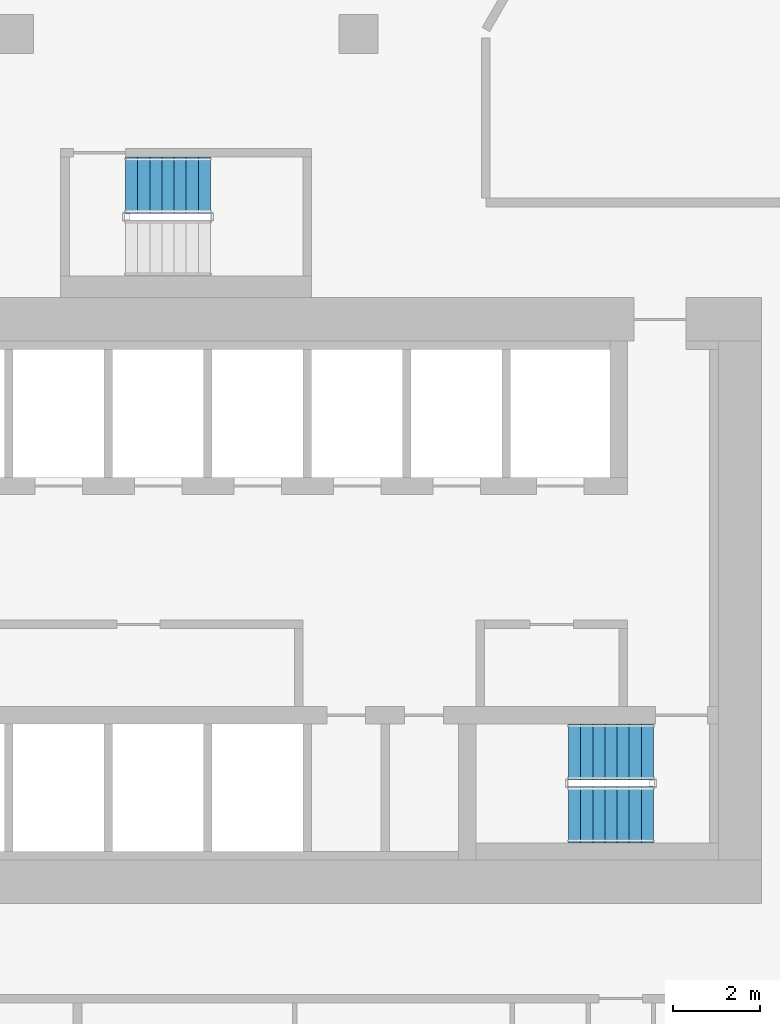
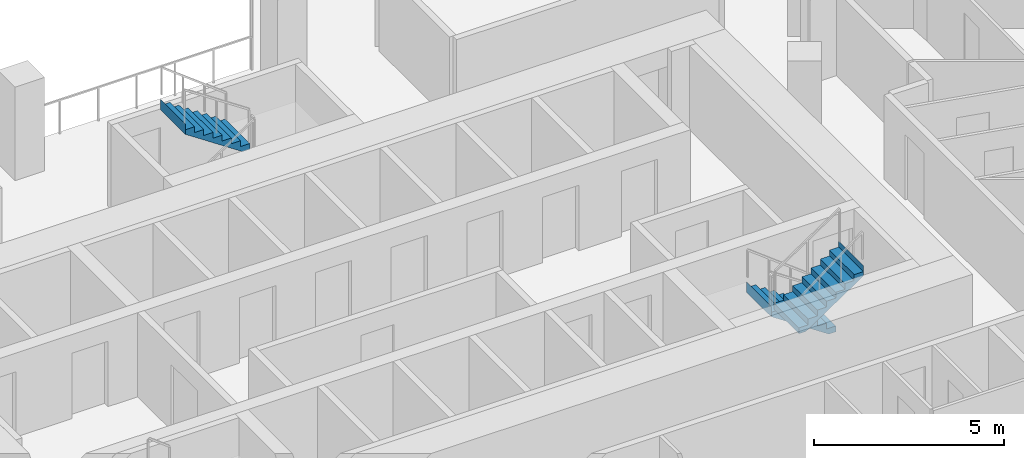
# One storey, part 14 of 18: 3 stair flights, 2 elements without a shape of their own.
"""IFC4 building model written with IfcOpenShell, lengths in metres."""

from ifc_helpers import new_model, si_unit, direction, frame, origin, place, context, subcontext, project, spatial, triangles, material, type_object, element, aggregate, save


model = new_model("IFC4")

# Units and contexts
model_context = context("Model", 3, precision=1e-05, world=origin(), true_north=direction((0.0, 1.0)))
body_context = subcontext(model_context, "Body", "Model", "MODEL_VIEW")
ifc_project = project(units=[si_unit("LENGTHUNIT", "METRE"), si_unit("AREAUNIT", "SQUARE_METRE"), si_unit("VOLUMEUNIT", "CUBIC_METRE"), si_unit("PLANEANGLEUNIT", "RADIAN"), si_unit("MASSUNIT", "GRAM", prefix="KILO")], contexts=[model_context])

# Site, building, storey
site_placement = place(None, origin())
site = spatial("IfcSite", under=ifc_project, at=site_placement, CompositionType="ELEMENT")
building_placement = place(site_placement, origin())
building = spatial("IfcBuilding", under=site, at=building_placement, Name="Beryl Residences", CompositionType="ELEMENT")
storey_placement = place(building_placement, frame((0.0, 0.0, 81.0)))
storey = spatial("IfcBuildingStorey", under=building, at=storey_placement, Name="L24", CompositionType="ELEMENT", Elevation=81.0)

# Stair, stair flights
ifc_material_1 = material(Name="Concrete C40/50", Category="concrete")
stair_type = type_object("IfcStairType", Name="ST1 protected exit stair, half-turn, 1300 mm flights", PredefinedType="HALF_TURN_STAIR", material=ifc_material_1)
stair_1_placement = place(storey_placement, origin())
stair_1 = element("IfcStair", 1, at=stair_1_placement, inside=storey, type_object=stair_type, Name="L24 PROTECTED EXIT STAIR ST-3", PredefinedType="HALF_TURN_STAIR")
ifc_material_2 = material(Name="Concrete C40/50", Category="concrete")
stair_flight_type = type_object("IfcStairFlightType", Name="SF1 stair flight 1300 mm", PredefinedType="STRAIGHT", material=ifc_material_2)
stair_flight_1_placement = place(storey_placement, frame((10.800048828125, -15.5, 0.0), z_axis=(0.0, 0.0, 1.0), x_axis=(-1.0, 0.0, 0.0)))
stair_flight_1 = element("IfcStairFlight", 2, at=stair_flight_1_placement, type_object=stair_flight_type, Name="ST-3 flight 1", NumberOfRisers=8, NumberOfTreads=7, PredefinedType="STRAIGHT", RiserHeight=0.1875, TreadLength=0.28, context=body_context, shape_type="Tessellation", body=[
    triangles([(0.0, -0.64990234375, 0.0), (0.0, -0.324951171875, 0.0), (0.0, 0.0, 0.0), (0.0, 0.324951171875, 0.0), (0.0, 0.64990234375, 0.0), (0.0, -0.64990234375, 0.1875), (0.0, -0.324951171875, 0.1875), (0.0, 0.0, 0.1875), (0.0, 0.324951171875, 0.1875), (0.0, 0.64990234375, 0.1875), (0.280029296875, -0.64990234375, 0.1875), (0.280029296875, -0.324951171875, 0.1875), (0.280029296875, 0.0, 0.1875), (0.280029296875, 0.324951171875, 0.1875), (0.280029296875, 0.64990234375, 0.1875), (0.280029296875, -0.64990234375, 0.375), (0.280029296875, -0.324951171875, 0.375), (0.280029296875, 0.0, 0.375), (0.280029296875, 0.324951171875, 0.375), (0.280029296875, 0.64990234375, 0.375), (0.56005859375, -0.64990234375, 0.375), (0.56005859375, -0.324951171875, 0.375), (0.56005859375, 0.0, 0.375), (0.56005859375, 0.324951171875, 0.375), (0.56005859375, 0.64990234375, 0.375), (0.56005859375, -0.64990234375, 0.5625), (0.56005859375, -0.324951171875, 0.5625), (0.56005859375, 0.0, 0.5625), (0.56005859375, 0.324951171875, 0.5625), (0.56005859375, 0.64990234375, 0.5625), (0.840087890625, -0.64990234375, 0.5625), (0.840087890625, -0.324951171875, 0.5625), (0.840087890625, 0.0, 0.5625), (0.840087890625, 0.324951171875, 0.5625), (0.840087890625, 0.64990234375, 0.5625), (0.840087890625, -0.64990234375, 0.75), (0.840087890625, -0.324951171875, 0.75), (0.840087890625, 0.0, 0.75), (0.840087890625, 0.324951171875, 0.75), (0.840087890625, 0.64990234375, 0.75), (1.1201171875, -0.64990234375, 0.75), (1.1201171875, -0.324951171875, 0.75), (1.1201171875, 0.0, 0.75), (1.1201171875, 0.324951171875, 0.75), (1.1201171875, 0.64990234375, 0.75), (1.1201171875, -0.64990234375, 0.9375), (1.1201171875, -0.324951171875, 0.9375), (1.1201171875, 0.0, 0.9375), (1.1201171875, 0.324951171875, 0.9375), (1.1201171875, 0.64990234375, 0.9375), (1.39990234375, -0.64990234375, 0.9375), (1.39990234375, -0.324951171875, 0.9375), (1.39990234375, 0.0, 0.9375), (1.39990234375, 0.324951171875, 0.9375), (1.39990234375, 0.64990234375, 0.9375), (1.39990234375, -0.64990234375, 1.125), (1.39990234375, -0.324951171875, 1.125), (1.39990234375, 0.0, 1.125), (1.39990234375, 0.324951171875, 1.125), (1.39990234375, 0.64990234375, 1.125), (1.679931640625, -0.64990234375, 1.125), (1.679931640625, -0.324951171875, 1.125), (1.679931640625, 0.0, 1.125), (1.679931640625, 0.324951171875, 1.125), (1.679931640625, 0.64990234375, 1.125), (1.679931640625, -0.64990234375, 1.3125), (1.679931640625, -0.324951171875, 1.3125), (1.679931640625, 0.0, 1.3125), (1.679931640625, 0.324951171875, 1.3125), (1.679931640625, 0.64990234375, 1.3125), (1.9599609375, -0.64990234375, 1.3125), (1.9599609375, -0.324951171875, 1.3125), (1.9599609375, 0.0, 1.3125), (1.9599609375, 0.324951171875, 1.3125), (1.9599609375, 0.64990234375, 1.3125), (1.9599609375, -0.64990234375, 1.5), (1.9599609375, -0.324951171875, 1.5), (1.9599609375, 0.0, 1.5), (1.9599609375, 0.324951171875, 1.5), (1.9599609375, 0.64990234375, 1.5), (1.9609375, -0.64990234375, 1.5), (1.9609375, -0.324951171875, 1.5), (1.9609375, 0.0, 1.5), (1.9609375, 0.324951171875, 1.5), (1.9609375, 0.64990234375, 1.5), (1.9609375, -0.64990234375, 1.16796875), (1.9609375, -0.324951171875, 1.16796875), (1.9609375, 0.0, 1.16796875), (1.9609375, 0.324951171875, 1.16796875), (1.9609375, 0.64990234375, 1.16796875), (0.216796875, -0.64990234375, 0.0), (0.216796875, -0.324951171875, 0.0), (0.216796875, 0.0, 0.0), (0.216796875, 0.324951171875, 0.0), (0.216796875, 0.64990234375, 0.0)], [[1, 6, 7], [1, 7, 2], [2, 7, 8], [2, 8, 3], [3, 8, 9], [3, 9, 4], [4, 9, 10], [4, 10, 5], [6, 11, 12], [6, 12, 7], [7, 12, 13], [7, 13, 8], [8, 13, 14], [8, 14, 9], [9, 14, 15], [9, 15, 10], [11, 16, 17], [11, 17, 12], [12, 17, 18], [12, 18, 13], [13, 18, 19], [13, 19, 14], [14, 19, 20], [14, 20, 15], [16, 21, 22], [16, 22, 17], [17, 22, 23], [17, 23, 18], [18, 23, 24], [18, 24, 19], [19, 24, 25], [19, 25, 20], [21, 26, 27], [21, 27, 22], [22, 27, 28], [22, 28, 23], [23, 28, 29], [23, 29, 24], [24, 29, 30], [24, 30, 25], [26, 31, 32], [26, 32, 27], [27, 32, 33], [27, 33, 28], [28, 33, 34], [28, 34, 29], [29, 34, 35], [29, 35, 30], [31, 36, 37], [31, 37, 32], [32, 37, 38], [32, 38, 33], [33, 38, 39], [33, 39, 34], [34, 39, 40], [34, 40, 35], [36, 41, 42], [36, 42, 37], [37, 42, 43], [37, 43, 38], [38, 43, 44], [38, 44, 39], [39, 44, 45], [39, 45, 40], [41, 46, 47], [41, 47, 42], [42, 47, 48], [42, 48, 43], [43, 48, 49], [43, 49, 44], [44, 49, 50], [44, 50, 45], [46, 51, 52], [46, 52, 47], [47, 52, 53], [47, 53, 48], [48, 53, 54], [48, 54, 49], [49, 54, 55], [49, 55, 50], [51, 56, 57], [51, 57, 52], [52, 57, 58], [52, 58, 53], [53, 58, 59], [53, 59, 54], [54, 59, 60], [54, 60, 55], [56, 61, 62], [56, 62, 57], [57, 62, 63], [57, 63, 58], [58, 63, 64], [58, 64, 59], [59, 64, 65], [59, 65, 60], [61, 66, 67], [61, 67, 62], [62, 67, 68], [62, 68, 63], [63, 68, 69], [63, 69, 64], [64, 69, 70], [64, 70, 65], [66, 71, 72], [66, 72, 67], [67, 72, 73], [67, 73, 68], [68, 73, 74], [68, 74, 69], [69, 74, 75], [69, 75, 70], [71, 76, 77], [71, 77, 72], [72, 77, 78], [72, 78, 73], [73, 78, 79], [73, 79, 74], [74, 79, 80], [74, 80, 75], [76, 81, 82], [76, 82, 77], [77, 82, 83], [77, 83, 78], [78, 83, 84], [78, 84, 79], [79, 84, 85], [79, 85, 80], [81, 86, 87], [81, 87, 82], [82, 87, 88], [82, 88, 83], [83, 88, 89], [83, 89, 84], [84, 89, 90], [84, 90, 85], [86, 91, 92], [86, 92, 87], [87, 92, 93], [87, 93, 88], [88, 93, 94], [88, 94, 89], [89, 94, 95], [89, 95, 90], [91, 1, 2], [91, 2, 92], [92, 2, 3], [92, 3, 93], [93, 3, 4], [93, 4, 94], [94, 4, 5], [94, 5, 95], [1, 91, 86], [5, 90, 95], [86, 81, 76], [90, 80, 85], [86, 76, 71], [90, 75, 80], [86, 71, 66], [90, 70, 75], [86, 66, 61], [90, 65, 70], [61, 56, 51], [65, 55, 60], [86, 61, 51], [90, 55, 65], [51, 46, 41], [55, 45, 50], [86, 51, 41], [90, 45, 55], [41, 36, 31], [45, 35, 40], [86, 41, 31], [90, 35, 45], [31, 26, 21], [35, 25, 30], [86, 31, 21], [90, 25, 35], [21, 16, 11], [25, 15, 20], [86, 21, 11], [90, 15, 25], [1, 86, 11], [5, 15, 90], [11, 6, 1], [15, 5, 10]], closed=True),
])
stair_flight_2_placement = place(storey_placement, frame((8.840087890625, -16.949951171875, 1.5), z_axis=(0.0, 0.0, 1.0), x_axis=(1.0, 0.0, 0.0)))
stair_flight_2 = element("IfcStairFlight", 3, at=stair_flight_2_placement, type_object=stair_flight_type, Name="ST-3 flight 2", NumberOfRisers=8, NumberOfTreads=7, PredefinedType="STRAIGHT", RiserHeight=0.1875, TreadLength=0.28, context=body_context, shape_type="Tessellation", body=[
    triangles([(0.0, -0.64990234375, 0.0), (0.0, -0.324951171875, 0.0), (0.0, 0.0, 0.0), (0.0, 0.324951171875, 0.0), (0.0, 0.64990234375, 0.0), (0.0, -0.64990234375, 0.1875), (0.0, -0.324951171875, 0.1875), (0.0, 0.0, 0.1875), (0.0, 0.324951171875, 0.1875), (0.0, 0.64990234375, 0.1875), (0.280029296875, -0.64990234375, 0.1875), (0.280029296875, -0.324951171875, 0.1875), (0.280029296875, 0.0, 0.1875), (0.280029296875, 0.324951171875, 0.1875), (0.280029296875, 0.64990234375, 0.1875), (0.280029296875, -0.64990234375, 0.375), (0.280029296875, -0.324951171875, 0.375), (0.280029296875, 0.0, 0.375), (0.280029296875, 0.324951171875, 0.375), (0.280029296875, 0.64990234375, 0.375), (0.56005859375, -0.64990234375, 0.375), (0.56005859375, -0.324951171875, 0.375), (0.56005859375, 0.0, 0.375), (0.56005859375, 0.324951171875, 0.375), (0.56005859375, 0.64990234375, 0.375), (0.56005859375, -0.64990234375, 0.5625), (0.56005859375, -0.324951171875, 0.5625), (0.56005859375, 0.0, 0.5625), (0.56005859375, 0.324951171875, 0.5625), (0.56005859375, 0.64990234375, 0.5625), (0.840087890625, -0.64990234375, 0.5625), (0.840087890625, -0.324951171875, 0.5625), (0.840087890625, 0.0, 0.5625), (0.840087890625, 0.324951171875, 0.5625), (0.840087890625, 0.64990234375, 0.5625), (0.840087890625, -0.64990234375, 0.75), (0.840087890625, -0.324951171875, 0.75), (0.840087890625, 0.0, 0.75), (0.840087890625, 0.324951171875, 0.75), (0.840087890625, 0.64990234375, 0.75), (1.1201171875, -0.64990234375, 0.75), (1.1201171875, -0.324951171875, 0.75), (1.1201171875, 0.0, 0.75), (1.1201171875, 0.324951171875, 0.75), (1.1201171875, 0.64990234375, 0.75), (1.1201171875, -0.64990234375, 0.9375), (1.1201171875, -0.324951171875, 0.9375), (1.1201171875, 0.0, 0.9375), (1.1201171875, 0.324951171875, 0.9375), (1.1201171875, 0.64990234375, 0.9375), (1.39990234375, -0.64990234375, 0.9375), (1.39990234375, -0.324951171875, 0.9375), (1.39990234375, 0.0, 0.9375), (1.39990234375, 0.324951171875, 0.9375), (1.39990234375, 0.64990234375, 0.9375), (1.39990234375, -0.64990234375, 1.125), (1.39990234375, -0.324951171875, 1.125), (1.39990234375, 0.0, 1.125), (1.39990234375, 0.324951171875, 1.125), (1.39990234375, 0.64990234375, 1.125), (1.679931640625, -0.64990234375, 1.125), (1.679931640625, -0.324951171875, 1.125), (1.679931640625, 0.0, 1.125), (1.679931640625, 0.324951171875, 1.125), (1.679931640625, 0.64990234375, 1.125), (1.679931640625, -0.64990234375, 1.3125), (1.679931640625, -0.324951171875, 1.3125), (1.679931640625, 0.0, 1.3125), (1.679931640625, 0.324951171875, 1.3125), (1.679931640625, 0.64990234375, 1.3125), (1.9599609375, -0.64990234375, 1.3125), (1.9599609375, -0.324951171875, 1.3125), (1.9599609375, 0.0, 1.3125), (1.9599609375, 0.324951171875, 1.3125), (1.9599609375, 0.64990234375, 1.3125), (1.9599609375, -0.64990234375, 1.5), (1.9599609375, -0.324951171875, 1.5), (1.9599609375, 0.0, 1.5), (1.9599609375, 0.324951171875, 1.5), (1.9599609375, 0.64990234375, 1.5), (1.9609375, -0.64990234375, 1.5), (1.9609375, -0.324951171875, 1.5), (1.9609375, 0.0, 1.5), (1.9609375, 0.324951171875, 1.5), (1.9609375, 0.64990234375, 1.5), (1.9609375, -0.64990234375, 1.16796875), (1.9609375, -0.324951171875, 1.16796875), (1.9609375, 0.0, 1.16796875), (1.9609375, 0.324951171875, 1.16796875), (1.9609375, 0.64990234375, 1.16796875), (0.216796875, -0.64990234375, 0.0), (0.216796875, -0.324951171875, 0.0), (0.216796875, 0.0, 0.0), (0.216796875, 0.324951171875, 0.0), (0.216796875, 0.64990234375, 0.0)], [[1, 6, 7], [1, 7, 2], [2, 7, 8], [2, 8, 3], [3, 8, 9], [3, 9, 4], [4, 9, 10], [4, 10, 5], [6, 11, 12], [6, 12, 7], [7, 12, 13], [7, 13, 8], [8, 13, 14], [8, 14, 9], [9, 14, 15], [9, 15, 10], [11, 16, 17], [11, 17, 12], [12, 17, 18], [12, 18, 13], [13, 18, 19], [13, 19, 14], [14, 19, 20], [14, 20, 15], [16, 21, 22], [16, 22, 17], [17, 22, 23], [17, 23, 18], [18, 23, 24], [18, 24, 19], [19, 24, 25], [19, 25, 20], [21, 26, 27], [21, 27, 22], [22, 27, 28], [22, 28, 23], [23, 28, 29], [23, 29, 24], [24, 29, 30], [24, 30, 25], [26, 31, 32], [26, 32, 27], [27, 32, 33], [27, 33, 28], [28, 33, 34], [28, 34, 29], [29, 34, 35], [29, 35, 30], [31, 36, 37], [31, 37, 32], [32, 37, 38], [32, 38, 33], [33, 38, 39], [33, 39, 34], [34, 39, 40], [34, 40, 35], [36, 41, 42], [36, 42, 37], [37, 42, 43], [37, 43, 38], [38, 43, 44], [38, 44, 39], [39, 44, 45], [39, 45, 40], [41, 46, 47], [41, 47, 42], [42, 47, 48], [42, 48, 43], [43, 48, 49], [43, 49, 44], [44, 49, 50], [44, 50, 45], [46, 51, 52], [46, 52, 47], [47, 52, 53], [47, 53, 48], [48, 53, 54], [48, 54, 49], [49, 54, 55], [49, 55, 50], [51, 56, 57], [51, 57, 52], [52, 57, 58], [52, 58, 53], [53, 58, 59], [53, 59, 54], [54, 59, 60], [54, 60, 55], [56, 61, 62], [56, 62, 57], [57, 62, 63], [57, 63, 58], [58, 63, 64], [58, 64, 59], [59, 64, 65], [59, 65, 60], [61, 66, 67], [61, 67, 62], [62, 67, 68], [62, 68, 63], [63, 68, 69], [63, 69, 64], [64, 69, 70], [64, 70, 65], [66, 71, 72], [66, 72, 67], [67, 72, 73], [67, 73, 68], [68, 73, 74], [68, 74, 69], [69, 74, 75], [69, 75, 70], [71, 76, 77], [71, 77, 72], [72, 77, 78], [72, 78, 73], [73, 78, 79], [73, 79, 74], [74, 79, 80], [74, 80, 75], [76, 81, 82], [76, 82, 77], [77, 82, 83], [77, 83, 78], [78, 83, 84], [78, 84, 79], [79, 84, 85], [79, 85, 80], [81, 86, 87], [81, 87, 82], [82, 87, 88], [82, 88, 83], [83, 88, 89], [83, 89, 84], [84, 89, 90], [84, 90, 85], [86, 91, 92], [86, 92, 87], [87, 92, 93], [87, 93, 88], [88, 93, 94], [88, 94, 89], [89, 94, 95], [89, 95, 90], [91, 1, 2], [91, 2, 92], [92, 2, 3], [92, 3, 93], [93, 3, 4], [93, 4, 94], [94, 4, 5], [94, 5, 95], [1, 91, 86], [5, 90, 95], [86, 81, 76], [90, 80, 85], [86, 76, 71], [90, 75, 80], [86, 71, 66], [90, 70, 75], [86, 66, 61], [90, 65, 70], [61, 56, 51], [65, 55, 60], [86, 61, 51], [90, 55, 65], [51, 46, 41], [55, 45, 50], [86, 51, 41], [90, 45, 55], [41, 36, 31], [45, 35, 40], [86, 41, 31], [90, 35, 45], [31, 26, 21], [35, 25, 30], [86, 31, 21], [90, 25, 35], [21, 16, 11], [25, 15, 20], [86, 21, 11], [90, 15, 25], [1, 86, 11], [5, 15, 90], [11, 6, 1], [15, 5, 10]], closed=True),
])
aggregate(stair_1, [stair_flight_1, stair_flight_2])

# Stair, stair flight
stair_2_placement = place(storey_placement, origin())
stair_2 = element("IfcStair", 4, at=stair_2_placement, inside=storey, type_object=stair_type, Name="L24 PROTECTED EXIT STAIR ST-4", PredefinedType="HALF_TURN_STAIR")
stair_flight_3_placement = place(storey_placement, frame((0.56005859375, -2.39990234375, 1.5), z_axis=(0.0, 0.0, 1.0), x_axis=(-1.0, 0.0, 0.0)))
stair_flight_3 = element("IfcStairFlight", 5, at=stair_flight_3_placement, type_object=stair_flight_type, Name="ST-4 flight 2", NumberOfRisers=8, NumberOfTreads=7, PredefinedType="STRAIGHT", RiserHeight=0.1875, TreadLength=0.28, context=body_context, shape_type="Tessellation", body=[
    triangles([(0.0, -0.64990234375, 0.0), (0.0, -0.324951171875, 0.0), (0.0, 0.0, 0.0), (0.0, 0.324951171875, 0.0), (0.0, 0.64990234375, 0.0), (0.0, -0.64990234375, 0.1875), (0.0, -0.324951171875, 0.1875), (0.0, 0.0, 0.1875), (0.0, 0.324951171875, 0.1875), (0.0, 0.64990234375, 0.1875), (0.280029296875, -0.64990234375, 0.1875), (0.280029296875, -0.324951171875, 0.1875), (0.280029296875, 0.0, 0.1875), (0.280029296875, 0.324951171875, 0.1875), (0.280029296875, 0.64990234375, 0.1875), (0.280029296875, -0.64990234375, 0.375), (0.280029296875, -0.324951171875, 0.375), (0.280029296875, 0.0, 0.375), (0.280029296875, 0.324951171875, 0.375), (0.280029296875, 0.64990234375, 0.375), (0.56005859375, -0.64990234375, 0.375), (0.56005859375, -0.324951171875, 0.375), (0.56005859375, 0.0, 0.375), (0.56005859375, 0.324951171875, 0.375), (0.56005859375, 0.64990234375, 0.375), (0.56005859375, -0.64990234375, 0.5625), (0.56005859375, -0.324951171875, 0.5625), (0.56005859375, 0.0, 0.5625), (0.56005859375, 0.324951171875, 0.5625), (0.56005859375, 0.64990234375, 0.5625), (0.840087890625, -0.64990234375, 0.5625), (0.840087890625, -0.324951171875, 0.5625), (0.840087890625, 0.0, 0.5625), (0.840087890625, 0.324951171875, 0.5625), (0.840087890625, 0.64990234375, 0.5625), (0.840087890625, -0.64990234375, 0.75), (0.840087890625, -0.324951171875, 0.75), (0.840087890625, 0.0, 0.75), (0.840087890625, 0.324951171875, 0.75), (0.840087890625, 0.64990234375, 0.75), (1.1201171875, -0.64990234375, 0.75), (1.1201171875, -0.324951171875, 0.75), (1.1201171875, 0.0, 0.75), (1.1201171875, 0.324951171875, 0.75), (1.1201171875, 0.64990234375, 0.75), (1.1201171875, -0.64990234375, 0.9375), (1.1201171875, -0.324951171875, 0.9375), (1.1201171875, 0.0, 0.9375), (1.1201171875, 0.324951171875, 0.9375), (1.1201171875, 0.64990234375, 0.9375), (1.39990234375, -0.64990234375, 0.9375), (1.39990234375, -0.324951171875, 0.9375), (1.39990234375, 0.0, 0.9375), (1.39990234375, 0.324951171875, 0.9375), (1.39990234375, 0.64990234375, 0.9375), (1.39990234375, -0.64990234375, 1.125), (1.39990234375, -0.324951171875, 1.125), (1.39990234375, 0.0, 1.125), (1.39990234375, 0.324951171875, 1.125), (1.39990234375, 0.64990234375, 1.125), (1.679931640625, -0.64990234375, 1.125), (1.679931640625, -0.324951171875, 1.125), (1.679931640625, 0.0, 1.125), (1.679931640625, 0.324951171875, 1.125), (1.679931640625, 0.64990234375, 1.125), (1.679931640625, -0.64990234375, 1.3125), (1.679931640625, -0.324951171875, 1.3125), (1.679931640625, 0.0, 1.3125), (1.679931640625, 0.324951171875, 1.3125), (1.679931640625, 0.64990234375, 1.3125), (1.9599609375, -0.64990234375, 1.3125), (1.9599609375, -0.324951171875, 1.3125), (1.9599609375, 0.0, 1.3125), (1.9599609375, 0.324951171875, 1.3125), (1.9599609375, 0.64990234375, 1.3125), (1.9599609375, -0.64990234375, 1.5), (1.9599609375, -0.324951171875, 1.5), (1.9599609375, 0.0, 1.5), (1.9599609375, 0.324951171875, 1.5), (1.9599609375, 0.64990234375, 1.5), (1.9609375, -0.64990234375, 1.5), (1.9609375, -0.324951171875, 1.5), (1.9609375, 0.0, 1.5), (1.9609375, 0.324951171875, 1.5), (1.9609375, 0.64990234375, 1.5), (1.9609375, -0.64990234375, 1.16796875), (1.9609375, -0.324951171875, 1.16796875), (1.9609375, 0.0, 1.16796875), (1.9609375, 0.324951171875, 1.16796875), (1.9609375, 0.64990234375, 1.16796875), (0.216796875, -0.64990234375, 0.0), (0.216796875, -0.324951171875, 0.0), (0.216796875, 0.0, 0.0), (0.216796875, 0.324951171875, 0.0), (0.216796875, 0.64990234375, 0.0)], [[1, 6, 7], [1, 7, 2], [2, 7, 8], [2, 8, 3], [3, 8, 9], [3, 9, 4], [4, 9, 10], [4, 10, 5], [6, 11, 12], [6, 12, 7], [7, 12, 13], [7, 13, 8], [8, 13, 14], [8, 14, 9], [9, 14, 15], [9, 15, 10], [11, 16, 17], [11, 17, 12], [12, 17, 18], [12, 18, 13], [13, 18, 19], [13, 19, 14], [14, 19, 20], [14, 20, 15], [16, 21, 22], [16, 22, 17], [17, 22, 23], [17, 23, 18], [18, 23, 24], [18, 24, 19], [19, 24, 25], [19, 25, 20], [21, 26, 27], [21, 27, 22], [22, 27, 28], [22, 28, 23], [23, 28, 29], [23, 29, 24], [24, 29, 30], [24, 30, 25], [26, 31, 32], [26, 32, 27], [27, 32, 33], [27, 33, 28], [28, 33, 34], [28, 34, 29], [29, 34, 35], [29, 35, 30], [31, 36, 37], [31, 37, 32], [32, 37, 38], [32, 38, 33], [33, 38, 39], [33, 39, 34], [34, 39, 40], [34, 40, 35], [36, 41, 42], [36, 42, 37], [37, 42, 43], [37, 43, 38], [38, 43, 44], [38, 44, 39], [39, 44, 45], [39, 45, 40], [41, 46, 47], [41, 47, 42], [42, 47, 48], [42, 48, 43], [43, 48, 49], [43, 49, 44], [44, 49, 50], [44, 50, 45], [46, 51, 52], [46, 52, 47], [47, 52, 53], [47, 53, 48], [48, 53, 54], [48, 54, 49], [49, 54, 55], [49, 55, 50], [51, 56, 57], [51, 57, 52], [52, 57, 58], [52, 58, 53], [53, 58, 59], [53, 59, 54], [54, 59, 60], [54, 60, 55], [56, 61, 62], [56, 62, 57], [57, 62, 63], [57, 63, 58], [58, 63, 64], [58, 64, 59], [59, 64, 65], [59, 65, 60], [61, 66, 67], [61, 67, 62], [62, 67, 68], [62, 68, 63], [63, 68, 69], [63, 69, 64], [64, 69, 70], [64, 70, 65], [66, 71, 72], [66, 72, 67], [67, 72, 73], [67, 73, 68], [68, 73, 74], [68, 74, 69], [69, 74, 75], [69, 75, 70], [71, 76, 77], [71, 77, 72], [72, 77, 78], [72, 78, 73], [73, 78, 79], [73, 79, 74], [74, 79, 80], [74, 80, 75], [76, 81, 82], [76, 82, 77], [77, 82, 83], [77, 83, 78], [78, 83, 84], [78, 84, 79], [79, 84, 85], [79, 85, 80], [81, 86, 87], [81, 87, 82], [82, 87, 88], [82, 88, 83], [83, 88, 89], [83, 89, 84], [84, 89, 90], [84, 90, 85], [86, 91, 92], [86, 92, 87], [87, 92, 93], [87, 93, 88], [88, 93, 94], [88, 94, 89], [89, 94, 95], [89, 95, 90], [91, 1, 2], [91, 2, 92], [92, 2, 3], [92, 3, 93], [93, 3, 4], [93, 4, 94], [94, 4, 5], [94, 5, 95], [1, 91, 86], [5, 90, 95], [86, 81, 76], [90, 80, 85], [86, 76, 71], [90, 75, 80], [86, 71, 66], [90, 70, 75], [86, 66, 61], [90, 65, 70], [61, 56, 51], [65, 55, 60], [86, 61, 51], [90, 55, 65], [51, 46, 41], [55, 45, 50], [86, 51, 41], [90, 45, 55], [41, 36, 31], [45, 35, 40], [86, 41, 31], [90, 35, 45], [31, 26, 21], [35, 25, 30], [86, 31, 21], [90, 25, 35], [21, 16, 11], [25, 15, 20], [86, 21, 11], [90, 15, 25], [1, 86, 11], [5, 15, 90], [11, 6, 1], [15, 5, 10]], closed=True),
])
aggregate(stair_2, [stair_flight_3])

save(model, "model.ifc")
